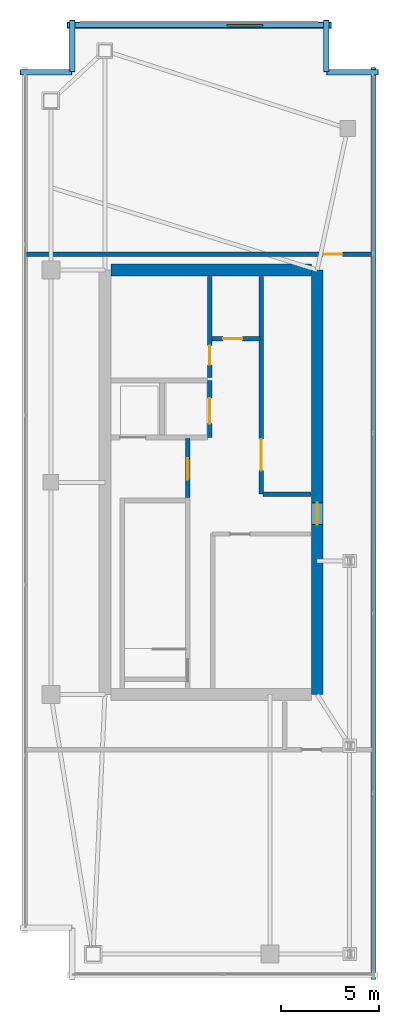
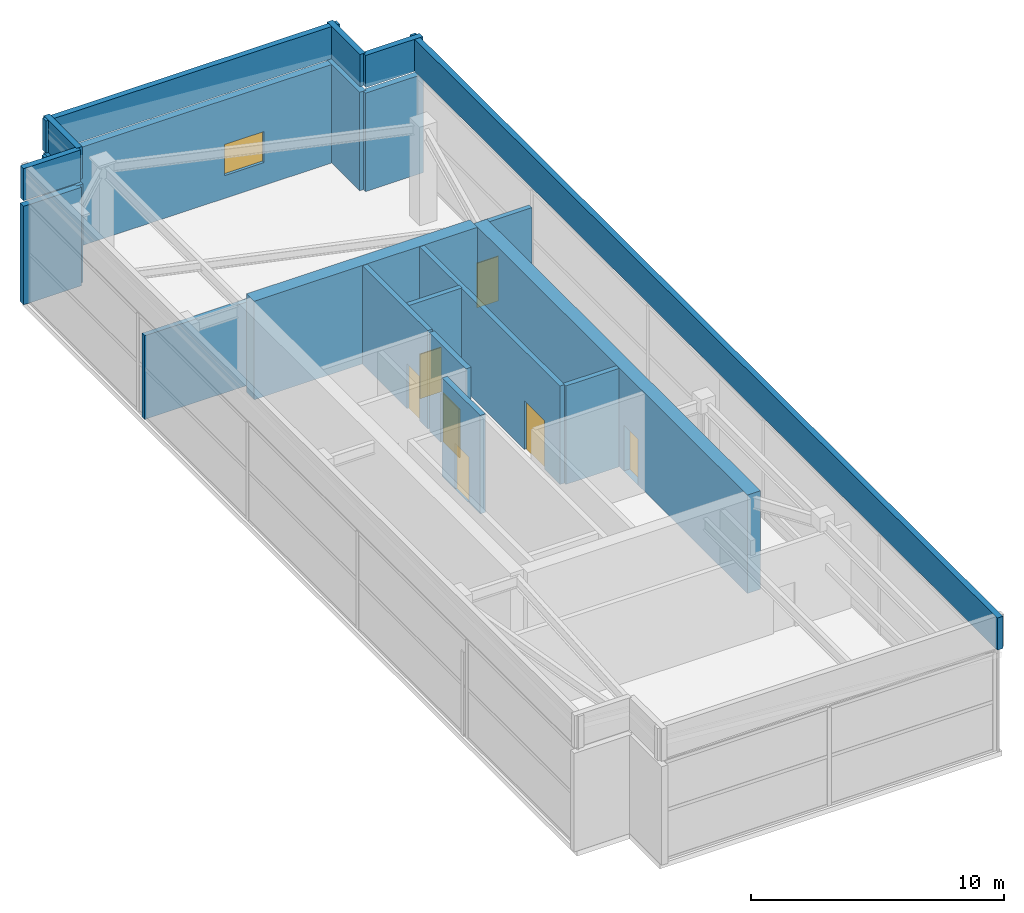
# One storey, part 19 of 20: 20 walls, 7 doors, 1 window, 8 openings.
"""IFC4 building model written with IfcOpenShell, lengths in metres."""

from ifc_helpers import new_model, si_unit, direction, frame, frame_2d, origin, place, context, subcontext, project, spatial, rectangle, extrude, material, layer, layer_set, type_object, element, fill, save


model = new_model("IFC4")

# Units and contexts
model_context = context("Model", 3, precision=1e-05, world=origin(), true_north=direction((0.0, 1.0)))
body_context = subcontext(model_context, "Body", "Model", "MODEL_VIEW")
ifc_project = project(units=[si_unit("LENGTHUNIT", "METRE"), si_unit("AREAUNIT", "SQUARE_METRE"), si_unit("VOLUMEUNIT", "CUBIC_METRE"), si_unit("PLANEANGLEUNIT", "RADIAN"), si_unit("MASSUNIT", "GRAM", prefix="KILO")], contexts=[model_context])

# Site, building, storey
site_placement = place(None, origin())
site = spatial("IfcSite", under=ifc_project, at=site_placement, CompositionType="ELEMENT")
building_placement = place(site_placement, origin())
building = spatial("IfcBuilding", under=site, at=building_placement, Name="Calvorn Quay Hotel", CompositionType="ELEMENT")
storey_placement = place(building_placement, frame((0.0, 0.0, 345.5)))
storey = spatial("IfcBuildingStorey", under=building, at=storey_placement, Name="L84", CompositionType="ELEMENT", Elevation=345.5)

# Wall, opening, door
ifc_material_1 = material(Name="Concrete C45", Category="concrete")
ifc_layer_1 = layer(ifc_material_1, 0.60009765625)
ifc_layer_set_1 = layer_set([ifc_layer_1], Name="WL-CORE-600")
wall_type_1 = type_object("IfcWallType", Name="WL-CORE-600", PredefinedType="SHEAR", material=ifc_layer_set_1)
wall_1_placement = place(storey_placement, frame((15.0, 16.800048828125, 0.0), z_axis=(0.0, 0.0, 1.0), x_axis=(0.0, 1.0, 0.0)))
wall_1 = element("IfcWall", 1, at=wall_1_placement, inside=storey, type_object=wall_type_1, Name="West Core Shear Wall E (L84)", PredefinedType="SHEAR", context=body_context, shape_type="SweptSolid", body=[
    extrude(rectangle(XDim=21.599853515625, YDim=0.60009765625, at=frame_2d((10.7998046875, 0.0))), origin(), (0.0, 0.0, 1.0), 4.75),
])
opening_1_placement = place(wall_1_placement, frame((8.64990234375, 0.0, 0.0)))
opening_1 = element("IfcOpeningElement", 2, at=opening_1_placement, cuts=wall_1, Name="Opening D-L84-CW1", PredefinedType="OPENING", context=body_context, shape_type="SweptSolid", body=[
    extrude(rectangle(XDim=1.10009765625, YDim=2.199951171875, at=frame_2d((0.550048828125, 1.10009765625))), frame((0.0, 0.31005859375, 0.0), z_axis=(0.0, -1.0, 0.0), x_axis=(1.0, 0.0, 0.0)), (0.0, 0.0, 1.0), 0.6201171875),
])
ifc_material_2 = material(Name="Smoke-Sealed Steel Class A Fire Door", Category="steel")
door_type_1 = type_object("IfcDoorType", Name="DR-FFLOBBY-1100", OperationType="NOTDEFINED", PredefinedType="DOOR", material=ifc_material_2)
door_1_placement = place(opening_1_placement, origin())
door_1 = element("IfcDoor", 3, at=door_1_placement, inside=storey, type_object=door_type_1, Name="West Core Vestibule Fire Door (L84)", OperationType="SINGLE_SWING_LEFT", OverallHeight=2.199951171875, OverallWidth=1.10009765625, PredefinedType="DOOR", context=body_context, shape_type="SweptSolid", body=[
    extrude(rectangle(XDim=1.10009765625, YDim=2.199951171875, at=frame_2d((0.550048828125, 1.10009765625))), frame((0.0, 0.02490234375, 0.0), z_axis=(0.0, -1.0, 0.0), x_axis=(1.0, 0.0, 0.0)), (0.0, 0.0, 1.0), 0.050048828125),
])
fill(opening_1, door_1)

# Walls
wall_2_placement = place(storey_placement, frame((4.5, 38.39990234375, 0.0), z_axis=(0.0, 0.0, 1.0), x_axis=(1.0, 0.0, 0.0)))
element("IfcWall", 4, at=wall_2_placement, inside=storey, type_object=wall_type_1, Name="West Core Shear Wall N (L84)", PredefinedType="SHEAR", context=body_context, shape_type="SweptSolid", body=[
    extrude(rectangle(XDim=10.199951171875, YDim=0.60009765625, at=frame_2d((5.10009765625, 0.0))), origin(), (0.0, 0.0, 1.0), 4.75),
])
ifc_material_3 = material(Name="Concrete C40", Category="concrete")
ifc_layer_2 = layer(ifc_material_3, 0.320068359375)
ifc_layer_set_2 = layer_set([ifc_layer_2], Name="WL-EXT-SPANDREL-320")
wall_type_2 = type_object("IfcWallType", Name="WL-EXT-SPANDREL-320", PredefinedType="SOLIDWALL", material=ifc_layer_set_2)
for number, where, z_axis, x_axis, name in (
    (5, (18.1201171875, 48.449951171875, 0.0), (0.0, 0.0, 1.0), (-1.0, 0.0, 0.0), "Crown Notched Corner Spandrel L84-C3"),
    (6, (15.449951171875, 48.47998046875, 0.0), (0.0, 0.0, 1.0), (0.0, 1.0, 0.0), "Crown Notched Corner Spandrel L84-C4"),
):
    element("IfcWall", number, at=place(storey_placement, frame(where, z_axis=z_axis, x_axis=x_axis)), inside=storey, type_object=wall_type_2, Name=name, PredefinedType="SOLIDWALL", context=body_context, shape_type="SweptSolid", body=[
        extrude(rectangle(XDim=2.64013671875, YDim=0.280029296875, at=frame_2d((1.320068359375, 0.0))), origin(), (0.0, 0.0, 1.0), 4.75),
    ])

# Wall, opening, window
wall_3_placement = place(storey_placement, frame((15.719970703125, 50.85009765625, 0.0), z_axis=(0.0, 0.0, 1.0), x_axis=(-1.0, 0.0, 0.0)))
wall_3 = element("IfcWall", 7, at=wall_3_placement, inside=storey, type_object=wall_type_2, Name="Crown North Louvred Plant Wall (L84)", PredefinedType="SOLIDWALL", context=body_context, shape_type="SweptSolid", body=[
    extrude(rectangle(XDim=13.43994140625, YDim=0.320068359375, at=frame_2d((6.719970703125, 0.0))), origin(), (0.0, 0.0, 1.0), 4.75),
])
opening_2_placement = place(wall_3_placement, frame((3.5, 0.0, 1.10009765625)))
opening_2 = element("IfcOpeningElement", 8, at=opening_2_placement, cuts=wall_3, Name="Opening WPL-L84-1", PredefinedType="OPENING", context=body_context, shape_type="SweptSolid", body=[
    extrude(rectangle(XDim=1.800048828125, YDim=1.5, at=frame_2d((0.89990234375, 0.75))), frame((0.0, 0.169921875, 0.0), z_axis=(0.0, -1.0, 0.0), x_axis=(1.0, 0.0, 0.0)), (0.0, 0.0, 1.0), 0.340087890625),
])
ifc_material_4 = material(Name="Acoustic Weatherproof Aluminium Louvre Unit", Category="aluminium")
window_type = type_object("IfcWindowType", Name="WIN-PLANT-LOUVRE-1800x1500", PartitioningType="SINGLE_PANEL", PredefinedType="WINDOW", material=ifc_material_4)
window_placement = place(opening_2_placement, origin())
window = element("IfcWindow", 9, at=window_placement, inside=storey, type_object=window_type, Name="Crown Plant Acoustic Louvre (L84)", OverallHeight=1.5, OverallWidth=1.800048828125, PartitioningType="SINGLE_PANEL", PredefinedType="WINDOW", context=body_context, shape_type="SweptSolid", body=[
    extrude(rectangle(XDim=1.800048828125, YDim=1.5, at=frame_2d((0.89990234375, 0.75))), frame((0.0, 0.030029296875, 0.0), z_axis=(0.0, -1.0, 0.0), x_axis=(1.0, 0.0, 0.0)), (0.0, 0.0, 1.0), 0.06005859375),
])
fill(opening_2, window)

# Walls
for number, where, z_axis, x_axis, name in (
    (10, (2.550048828125, 51.1201171875, 0.0), (0.0, 0.0, 1.0), (0.0, -1.0, 0.0), "Crown Notched Corner Spandrel L84-C5"),
    (11, (2.52001953125, 48.449951171875, 0.0), (0.0, 0.0, 1.0), (-1.0, 0.0, 0.0), "Crown Notched Corner Spandrel L84-C6"),
):
    element("IfcWall", number, at=place(storey_placement, frame(where, z_axis=z_axis, x_axis=x_axis)), inside=storey, type_object=wall_type_2, Name=name, PredefinedType="SOLIDWALL", context=body_context, shape_type="SweptSolid", body=[
        extrude(rectangle(XDim=2.64013671875, YDim=0.280029296875, at=frame_2d((1.320068359375, 0.0))), origin(), (0.0, 0.0, 1.0), 4.75),
    ])

# Wall, opening, door
ifc_material_5 = material(Name="Autoclaved Aerated Masonry Block", Category="masonry")
ifc_layer_3 = layer(ifc_material_5, 0.219970703125)
ifc_layer_set_3 = layer_set([ifc_layer_3], Name="WL-LOBBY-FIRE-220")
wall_type_3 = type_object("IfcWallType", Name="WL-LOBBY-FIRE-220", PredefinedType="SOLIDWALL", material=ifc_layer_set_3)
wall_4_placement = place(storey_placement, frame((9.5400390625, 32.919921875, 0.0), z_axis=(0.0, 0.0, 1.0), x_axis=(0.0, 1.0, 0.0)))
wall_4 = element("IfcWall", 12, at=wall_4_placement, inside=storey, type_object=wall_type_3, Name="Partition Wall L84-WL-CWW-K-E", PredefinedType="SOLIDWALL", context=body_context, shape_type="SweptSolid", body=[
    extrude(rectangle(XDim=5.16015625, YDim=0.219970703125, at=frame_2d((2.580078125, 0.0))), origin(), (0.0, 0.0, 1.0), 4.75),
])
opening_3_placement = place(wall_4_placement, frame((0.64990234375, 0.0, 0.0)))
opening_3 = element("IfcOpeningElement", 13, at=opening_3_placement, cuts=wall_4, Name="Opening D-L84-CK1", PredefinedType="OPENING", context=body_context, shape_type="SweptSolid", body=[
    extrude(rectangle(XDim=0.97998046875, YDim=2.14990234375, at=frame_2d((0.489990234375, 1.074951171875))), frame((0.0, 0.119873046875, 0.0), z_axis=(0.0, -1.0, 0.0), x_axis=(1.0, 0.0, 0.0)), (0.0, 0.0, 1.0), 0.239990234375),
])
ifc_material_6 = material(Name="Painted Steel Housekeeping/Riser Fire Door", Category="steel")
door_type_2 = type_object("IfcDoorType", Name="DR-SERVICE-980", OperationType="NOTDEFINED", PredefinedType="DOOR", material=ifc_material_6)
door_2_placement = place(opening_3_placement, origin())
door_2 = element("IfcDoor", 14, at=door_2_placement, inside=storey, type_object=door_type_2, Name="Core Linen Room Door (L84)", OperationType="SINGLE_SWING_LEFT", OverallHeight=2.14990234375, OverallWidth=0.97998046875, PredefinedType="DOOR", context=body_context, shape_type="SweptSolid", body=[
    extrude(rectangle(XDim=0.97998046875, YDim=2.14990234375, at=frame_2d((0.489990234375, 1.074951171875))), frame((0.0, 0.02490234375, 0.0), z_axis=(0.0, -1.0, 0.0), x_axis=(1.0, 0.0, 0.0)), (0.0, 0.0, 1.0), 0.050048828125),
])
fill(opening_3, door_2)

wall_5_placement = place(storey_placement, frame((12.14990234375, 27.0, 0.0), z_axis=(0.0, 0.0, 1.0), x_axis=(0.0, 1.0, 0.0)))
wall_5 = element("IfcWall", 15, at=wall_5_placement, inside=storey, type_object=wall_type_3, Name="Partition Wall L84-WL-CWW-OV-W", PredefinedType="SOLIDWALL", context=body_context, shape_type="SweptSolid", body=[
    extrude(rectangle(XDim=11.080078125, YDim=0.219970703125, at=frame_2d((5.5400390625, 0.0))), origin(), (0.0, 0.0, 1.0), 4.75),
])
opening_4_placement = place(wall_5_placement, frame((1.199951171875, 0.0, 0.0)))
opening_4 = element("IfcOpeningElement", 16, at=opening_4_placement, cuts=wall_5, Name="Opening D-L84-OV1", PredefinedType="OPENING", context=body_context, shape_type="SweptSolid", body=[
    extrude(rectangle(XDim=1.60009765625, YDim=2.35009765625, at=frame_2d((0.800048828125, 1.175048828125))), frame((0.0, 0.119873046875, 0.0), z_axis=(0.0, -1.0, 0.0), x_axis=(1.0, 0.0, 0.0)), (0.0, 0.0, 1.0), 0.239990234375),
])
ifc_material_7 = material(Name="Heavy-Duty Steel Acoustic Plant Fire Door", Category="steel")
door_type_3 = type_object("IfcDoorType", Name="DR-PLANT-DBL-1600", OperationType="NOTDEFINED", PredefinedType="DOOR", material=ifc_material_7)
door_3_placement = place(opening_4_placement, origin())
door_3 = element("IfcDoor", 17, at=door_3_placement, inside=storey, type_object=door_type_3, Name="Lift Machine Plant Door (L84)", OperationType="SINGLE_SWING_LEFT", OverallHeight=2.35009765625, OverallWidth=1.60009765625, PredefinedType="DOOR", context=body_context, shape_type="SweptSolid", body=[
    extrude(rectangle(XDim=1.60009765625, YDim=2.35009765625, at=frame_2d((0.800048828125, 1.175048828125))), frame((0.0, 0.02490234375, 0.0), z_axis=(0.0, -1.0, 0.0), x_axis=(1.0, 0.0, 0.0)), (0.0, 0.0, 1.0), 0.050048828125),
])
fill(opening_4, door_3)

# Wall
wall_6_placement = place(storey_placement, frame((12.25, 27.0, 0.0), z_axis=(0.0, 0.0, 1.0), x_axis=(1.0, 0.0, 0.0)))
element("IfcWall", 18, at=wall_6_placement, inside=storey, type_object=wall_type_3, Name="Partition Wall L84-WL-CWW-OV-S", PredefinedType="SOLIDWALL", context=body_context, shape_type="SweptSolid", body=[
    extrude(rectangle(XDim=2.429931640625, YDim=0.219970703125, at=frame_2d((1.21484375, 0.0))), origin(), (0.0, 0.0, 1.0), 4.75),
])

# Wall, opening, door
wall_7_placement = place(storey_placement, frame((9.659912109375, 34.89990234375, 0.0), z_axis=(0.0, 0.0, 1.0), x_axis=(1.0, 0.0, 0.0)))
wall_7 = element("IfcWall", 19, at=wall_7_placement, inside=storey, type_object=wall_type_3, Name="Partition Wall L84-WL-CWW-OV-H2S", PredefinedType="SOLIDWALL", context=body_context, shape_type="SweptSolid", body=[
    extrude(rectangle(XDim=2.420166015625, YDim=0.219970703125, at=frame_2d((1.2099609375, 0.0))), origin(), (0.0, 0.0, 1.0), 4.75),
])
opening_5_placement = place(wall_7_placement, frame((0.550048828125, 0.0, 0.0)))
opening_5 = element("IfcOpeningElement", 20, at=opening_5_placement, cuts=wall_7, Name="Opening D-L84-OV2", PredefinedType="OPENING", context=body_context, shape_type="SweptSolid", body=[
    extrude(rectangle(XDim=0.97998046875, YDim=2.14990234375, at=frame_2d((0.489990234375, 1.074951171875))), frame((0.0, 0.119873046875, 0.0), z_axis=(0.0, -1.0, 0.0), x_axis=(1.0, 0.0, 0.0)), (0.0, 0.0, 1.0), 0.239990234375),
])
door_4_placement = place(opening_5_placement, origin())
door_4 = element("IfcDoor", 21, at=door_4_placement, inside=storey, type_object=door_type_2, Name="Pressurization Closet Door (L84)", OperationType="SINGLE_SWING_RIGHT", OverallHeight=2.14990234375, OverallWidth=0.97998046875, PredefinedType="DOOR", context=body_context, shape_type="SweptSolid", body=[
    extrude(rectangle(XDim=0.97998046875, YDim=2.14990234375, at=frame_2d((0.489990234375, 1.074951171875))), frame((0.0, 0.02490234375, 0.0), z_axis=(0.0, -1.0, 0.0), x_axis=(1.0, 0.0, 0.0)), (0.0, 0.0, 1.0), 0.050048828125),
])
fill(opening_5, door_4)

wall_8_placement = place(storey_placement, frame((0.080078125, 39.199951171875, 0.0), z_axis=(0.0, 0.0, 1.0), x_axis=(1.0, 0.0, 0.0)))
wall_8 = element("IfcWall", 22, at=wall_8_placement, inside=storey, type_object=wall_type_3, Name="Partition Wall L84-WL-CR-N", PredefinedType="SOLIDWALL", context=body_context, shape_type="SweptSolid", body=[
    extrude(rectangle(XDim=17.669921875, YDim=0.219970703125, at=frame_2d((8.8349609375, 0.0))), origin(), (0.0, 0.0, 1.0), 4.030029296875),
])
opening_6_placement = place(wall_8_placement, frame((15.219970703125, 0.0, 0.0)))
opening_6 = element("IfcOpeningElement", 23, at=opening_6_placement, cuts=wall_8, Name="Opening D-L84-C2", PredefinedType="OPENING", context=body_context, shape_type="SweptSolid", body=[
    extrude(rectangle(XDim=0.97998046875, YDim=2.14990234375, at=frame_2d((0.489990234375, 1.074951171875))), frame((0.0, 0.119873046875, 0.0), z_axis=(0.0, -1.0, 0.0), x_axis=(1.0, 0.0, 0.0)), (0.0, 0.0, 1.0), 0.239990234375),
])
door_5_placement = place(opening_6_placement, origin())
door_5 = element("IfcDoor", 24, at=door_5_placement, inside=storey, type_object=door_type_2, Name="Pressurization Plant Room Door", OperationType="SINGLE_SWING_RIGHT", OverallHeight=2.14990234375, OverallWidth=0.97998046875, PredefinedType="DOOR", context=body_context, shape_type="SweptSolid", body=[
    extrude(rectangle(XDim=0.97998046875, YDim=2.14990234375, at=frame_2d((0.489990234375, 1.074951171875))), frame((0.0, 0.02490234375, 0.0), z_axis=(0.0, -1.0, 0.0), x_axis=(1.0, 0.0, 0.0)), (0.0, 0.0, 1.0), 0.050048828125),
])
fill(opening_6, door_5)

# Walls
ifc_material_8 = material(Name="Concrete C40", Category="concrete")
ifc_layer_4 = layer(ifc_material_8, 0.260009765625)
ifc_layer_set_4 = layer_set([ifc_layer_4], Name="WL-PARAPET-260")
wall_type_4 = type_object("IfcWallType", Name="WL-PARAPET-260", PredefinedType="PARAPET", material=ifc_layer_set_4)
wall_9_placement = place(storey_placement, frame((17.860107421875, 2.300048828125, 5.0), z_axis=(0.0, 0.0, 1.0), x_axis=(0.0, 1.0, 0.0)))
element("IfcWall", 25, at=wall_9_placement, inside=storey, type_object=wall_type_4, Name="Crown Apex Parapet 04", PredefinedType="PARAPET", context=body_context, shape_type="SweptSolid", body=[
    extrude(rectangle(XDim=46.39990234375, YDim=0.260009765625, at=frame_2d((23.199951171875, 0.0))), origin(), (0.0, 0.0, 1.0), 1.550048828125),
])
for number, where, z_axis, x_axis, name in (
    (26, (18.10009765625, 48.4599609375, 5.0), (0.0, 0.0, 1.0), (-1.0, 0.0, 0.0), "Crown Apex Parapet 05"),
    (27, (15.4599609375, 48.5, 5.0), (0.0, 0.0, 1.0), (0.0, 1.0, 0.0), "Crown Apex Parapet 06"),
):
    element("IfcWall", number, at=place(storey_placement, frame(where, z_axis=z_axis, x_axis=x_axis)), inside=storey, type_object=wall_type_4, Name=name, PredefinedType="PARAPET", context=body_context, shape_type="SweptSolid", body=[
        extrude(rectangle(XDim=2.60009765625, YDim=0.260009765625, at=frame_2d((1.300048828125, 0.0))), origin(), (0.0, 0.0, 1.0), 1.550048828125),
    ])
wall_10_placement = place(storey_placement, frame((15.699951171875, 50.860107421875, 5.0), z_axis=(0.0, 0.0, 1.0), x_axis=(-1.0, 0.0, 0.0)))
element("IfcWall", 28, at=wall_10_placement, inside=storey, type_object=wall_type_4, Name="Crown Apex Parapet 07", PredefinedType="PARAPET", context=body_context, shape_type="SweptSolid", body=[
    extrude(rectangle(XDim=13.39990234375, YDim=0.260009765625, at=frame_2d((6.699951171875, 0.0))), origin(), (0.0, 0.0, 1.0), 1.550048828125),
])
for number, where, z_axis, x_axis, name in (
    (29, (2.5400390625, 51.10009765625, 5.0), (0.0, 0.0, 1.0), (0.0, -1.0, 0.0), "Crown Apex Parapet 08"),
    (30, (2.5, 48.4599609375, 5.0), (0.0, 0.0, 1.0), (-1.0, 0.0, 0.0), "Crown Apex Parapet 09"),
):
    element("IfcWall", number, at=place(storey_placement, frame(where, z_axis=z_axis, x_axis=x_axis)), inside=storey, type_object=wall_type_4, Name=name, PredefinedType="PARAPET", context=body_context, shape_type="SweptSolid", body=[
        extrude(rectangle(XDim=2.60009765625, YDim=0.260009765625, at=frame_2d((1.300048828125, 0.0))), origin(), (0.0, 0.0, 1.0), 1.550048828125),
    ])

# Wall, opening, door
ifc_material_9 = material(Name="Concrete C40", Category="concrete")
ifc_layer_5 = layer(ifc_material_9, 0.239990234375)
ifc_layer_set_5 = layer_set([ifc_layer_5], Name="WL-SHAFT-240")
wall_type_5 = type_object("IfcWallType", Name="WL-SHAFT-240", PredefinedType="SOLIDWALL", material=ifc_layer_set_5)
wall_11_placement = place(storey_placement, frame((8.419921875, 26.820068359375, 0.0), z_axis=(0.0, 0.0, 1.0), x_axis=(0.0, 1.0, 0.0)))
wall_11 = element("IfcWall", 31, at=wall_11_placement, inside=storey, type_object=wall_type_5, Name="Partition Wall L84-WL-CWW-FFL-E", PredefinedType="SOLIDWALL", context=body_context, shape_type="SweptSolid", body=[
    extrude(rectangle(XDim=3.0, YDim=0.239990234375, at=frame_2d((1.5, 0.0))), origin(), (0.0, 0.0, 1.0), 4.75),
])
opening_7_placement = place(wall_11_placement, frame((0.89990234375, 0.0, 0.0)))
opening_7 = element("IfcOpeningElement", 32, at=opening_7_placement, cuts=wall_11, Name="Opening D-L84-FLW", PredefinedType="OPENING", context=body_context, shape_type="SweptSolid", body=[
    extrude(rectangle(XDim=1.10009765625, YDim=2.199951171875, at=frame_2d((0.550048828125, 1.10009765625))), frame((0.0, 0.1298828125, 0.0), z_axis=(0.0, -1.0, 0.0), x_axis=(1.0, 0.0, 0.0)), (0.0, 0.0, 1.0), 0.260009765625),
])
door_6_placement = place(opening_7_placement, origin())
door_6 = element("IfcDoor", 33, at=door_6_placement, inside=storey, type_object=door_type_1, Name="West Firefighting Lobby Fire Door (L84)", OperationType="SINGLE_SWING_RIGHT", OverallHeight=2.199951171875, OverallWidth=1.10009765625, PredefinedType="DOOR", context=body_context, shape_type="SweptSolid", body=[
    extrude(rectangle(XDim=1.10009765625, YDim=2.199951171875, at=frame_2d((0.550048828125, 1.10009765625))), frame((0.0, 0.02490234375, 0.0), z_axis=(0.0, -1.0, 0.0), x_axis=(1.0, 0.0, 0.0)), (0.0, 0.0, 1.0), 0.050048828125),
])
fill(opening_7, door_6)

wall_12_placement = place(storey_placement, frame((9.5400390625, 29.8798828125, 0.0), z_axis=(0.0, 0.0, 1.0), x_axis=(0.0, 1.0, 0.0)))
wall_12 = element("IfcWall", 34, at=wall_12_placement, inside=storey, type_object=wall_type_5, Name="Partition Wall L84-WL-CWW-SLW-E", PredefinedType="SOLIDWALL", context=body_context, shape_type="SweptSolid", body=[
    extrude(rectangle(XDim=2.900146484375, YDim=0.239990234375, at=frame_2d((1.4501953125, 0.0))), origin(), (0.0, 0.0, 1.0), 4.75),
])
opening_8_placement = place(wall_12_placement, frame((0.699951171875, 0.0, 0.0)))
opening_8 = element("IfcOpeningElement", 35, at=opening_8_placement, cuts=wall_12, Name="Opening LD-L84-SLW1", PredefinedType="OPENING", context=body_context, shape_type="SweptSolid", body=[
    extrude(rectangle(XDim=1.300048828125, YDim=2.35009765625, at=frame_2d((0.64990234375, 1.175048828125))), frame((0.0, 0.1298828125, 0.0), z_axis=(0.0, -1.0, 0.0), x_axis=(1.0, 0.0, 0.0)), (0.0, 0.0, 1.0), 0.260009765625),
])
ifc_material_10 = material(Name="Champagne-Bronze Sliding Express Lift Landing Door")
door_type_4 = type_object("IfcDoorType", Name="DR-LIFT-SHUTTLE-1300", OperationType="NOTDEFINED", PredefinedType="DOOR", material=ifc_material_10)
door_7_placement = place(opening_8_placement, origin())
door_7 = element("IfcDoor", 36, at=door_7_placement, inside=storey, type_object=door_type_4, Name="Service Lift SL-W1 Landing Door (L84)", OperationType="DOUBLE_DOOR_SLIDING", OverallHeight=2.35009765625, OverallWidth=1.300048828125, PredefinedType="DOOR", context=body_context, shape_type="SweptSolid", body=[
    extrude(rectangle(XDim=1.300048828125, YDim=2.35009765625, at=frame_2d((0.64990234375, 1.175048828125))), frame((0.0, 0.02490234375, 0.0), z_axis=(0.0, -1.0, 0.0), x_axis=(1.0, 0.0, 0.0)), (0.0, 0.0, 1.0), 0.050048828125),
])
fill(opening_8, door_7)

save(model, "model.ifc")
